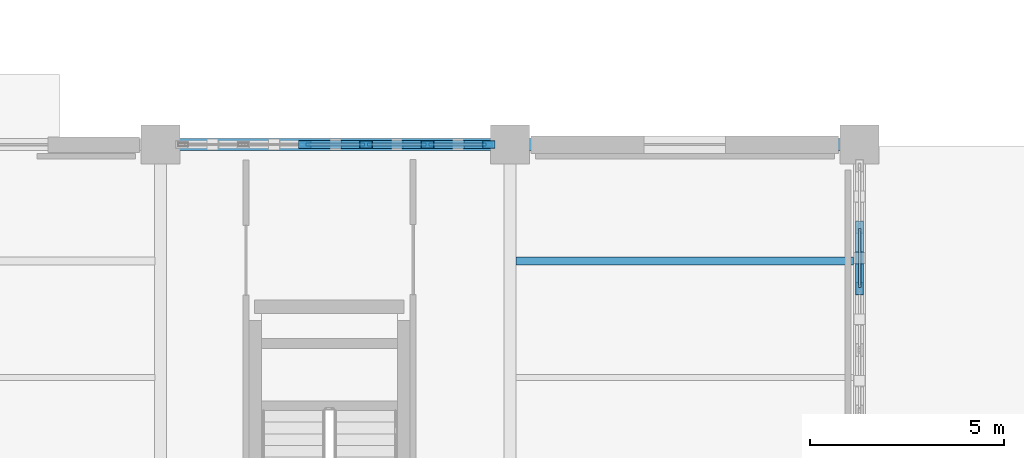
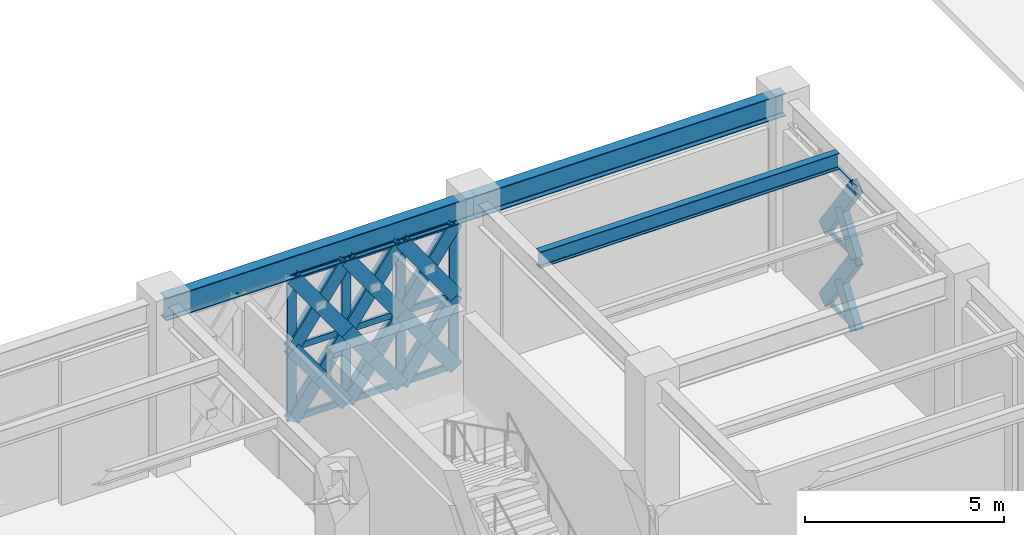
# One storey, part 48 of 140: 38 members, 3 beams, 2 elements without a shape of their own.
"""IFC4 building model written with IfcOpenShell, lengths in metres."""

from ifc_helpers import new_model, si_unit, direction, frame, origin, origin_2d, place, context, subcontext, project, spatial, hollow_rectangle, i_section, extrude, material, material_profile, profile_set, type_object, element, aggregate, save


model = new_model("IFC4")

# Units and contexts
model_context = context("Model", 3, precision=1e-05, world=origin(), true_north=direction((0.0, 1.0)))
body_context = subcontext(model_context, "Body", "Model", "MODEL_VIEW")
ifc_project = project(units=[si_unit("LENGTHUNIT", "METRE"), si_unit("AREAUNIT", "SQUARE_METRE"), si_unit("VOLUMEUNIT", "CUBIC_METRE"), si_unit("PLANEANGLEUNIT", "RADIAN"), si_unit("MASSUNIT", "GRAM", prefix="KILO")], contexts=[model_context])

# Site, building, storey
site_placement = place(None, origin())
site = spatial("IfcSite", under=ifc_project, at=site_placement, CompositionType="ELEMENT")
building_placement = place(site_placement, origin())
building = spatial("IfcBuilding", under=site, at=building_placement, Name="Haizhuo Lancet Aquarium", CompositionType="ELEMENT")
storey_placement = place(building_placement, origin())
storey = spatial("IfcBuildingStorey", under=building, at=storey_placement, Name="L00", CompositionType="ELEMENT", Elevation=0.0)

# Beams
ifc_material_1 = material(Name="Steel S355", Category="steel")
ifc_material_profile_1 = material_profile(ifc_material_1, i_section(OverallWidth=0.300048828125, OverallDepth=0.699951171875, WebThickness=0.012939453125, FlangeThickness=0.02392578125, FilletRadius=0.02587890625, at=origin_2d()), Name="HN 700x300x13x24")
ifc_profile_set_1 = profile_set([ifc_material_profile_1], Name="Steel S355")
beam_type_1 = type_object("IfcBeamType", Name="BM-ST-HN700", PredefinedType="BEAM", material=ifc_profile_set_1)
for number, where, z_axis, x_axis, name in (
    (1, (-54.0, 27.0, 4.77001953125), (1.0, 0.0, 0.0), (0.0, 1.0, 0.0), "L00 V2 primary girder BM-L00-V2-015"),
    (2, (-45.0, 27.0, 4.77001953125), (1.0, 0.0, 0.0), (0.0, 1.0, 0.0), "L00 V2 primary girder BM-L00-V2-020"),
):
    element("IfcBeam", number, at=place(storey_placement, frame(where, z_axis=z_axis, x_axis=x_axis)), inside=storey, type_object=beam_type_1, Name=name, PredefinedType="BEAM", context=body_context, shape_type="SweptSolid", body=[
        extrude(i_section(OverallWidth=0.300048828125, OverallDepth=0.699951171875, WebThickness=0.012939453125, FlangeThickness=0.02392578125, FilletRadius=0.02587890625, at=origin_2d()), origin(), (0.0, 0.0, 1.0), 9.0),
    ])

# Curtain wall, members
ifc_material_2 = material(Name="Aluminium 6063-T6", Category="aluminium")
curtain_wall_type = type_object("IfcCurtainWallType", Name="CWD-7910x4420", PredefinedType="NOTDEFINED", material=ifc_material_2)
curtain_wall_1_placement = place(storey_placement, origin())
curtain_wall_1 = element("IfcCurtainWall", 3, at=curtain_wall_1_placement, inside=storey, type_object=curtain_wall_type, Name="L00 curtain wall CW-V2-L00-015", PredefinedType="NOTDEFINED")
ifc_material_profile_2 = material_profile(ifc_material_2, hollow_rectangle(XDim=0.080078125, YDim=0.260009765625, WallThickness=0.0048828125, at=origin_2d()), Name="ALU-M 80x260x5")
ifc_profile_set_2 = profile_set([ifc_material_profile_2], Name="Aluminium 6063-T6")
member_type_1 = type_object("IfcMemberType", Name="CW-MUL-3", PredefinedType="MULLION", material=ifc_profile_set_2)
member_1_placement = place(storey_placement, frame((-50.291015625, 27.0, 0.0), z_axis=(0.0, 0.0, 1.0), x_axis=(0.0, 1.0, 0.0)))
member_1 = element("IfcMember", 4, at=member_1_placement, type_object=member_type_1, Name="CWD-79x44 mullion 3", PredefinedType="MULLION", context=body_context, shape_type="SweptSolid", body=[
    extrude(hollow_rectangle(XDim=0.080078125, YDim=0.260009765625, WallThickness=0.0048828125, at=origin_2d()), origin(), (0.0, 0.0, 1.0), 4.419921875),
])
member_2_placement = place(storey_placement, frame((-48.708984375, 27.0, 0.0), z_axis=(0.0, 0.0, 1.0), x_axis=(0.0, 1.0, 0.0)))
member_2 = element("IfcMember", 5, at=member_2_placement, type_object=member_type_1, Name="CWD-79x44 mullion 4", PredefinedType="MULLION", context=body_context, shape_type="SweptSolid", body=[
    extrude(hollow_rectangle(XDim=0.080078125, YDim=0.260009765625, WallThickness=0.0048828125, at=origin_2d()), origin(), (0.0, 0.0, 1.0), 4.419921875),
])
member_3_placement = place(storey_placement, frame((-47.126953125, 27.0, 0.0), z_axis=(0.0, 0.0, 1.0), x_axis=(0.0, 1.0, 0.0)))
member_3 = element("IfcMember", 6, at=member_3_placement, type_object=member_type_1, Name="CWD-79x44 mullion 5", PredefinedType="MULLION", context=body_context, shape_type="SweptSolid", body=[
    extrude(hollow_rectangle(XDim=0.080078125, YDim=0.260009765625, WallThickness=0.0048828125, at=origin_2d()), origin(), (0.0, 0.0, 1.0), 4.419921875),
])
member_4_placement = place(storey_placement, frame((-45.5849609375, 27.0, 0.0), z_axis=(0.0, 0.0, 1.0), x_axis=(0.0, 1.0, 0.0)))
member_4 = element("IfcMember", 7, at=member_4_placement, type_object=member_type_1, Name="CWD-79x44 mullion 6", PredefinedType="MULLION", context=body_context, shape_type="SweptSolid", body=[
    extrude(hollow_rectangle(XDim=0.080078125, YDim=0.260009765625, WallThickness=0.0048828125, at=origin_2d()), origin(), (0.0, 0.0, 1.0), 4.419921875),
])

curtain_wall_2_placement = place(storey_placement, origin())
curtain_wall_2 = element("IfcCurtainWall", 8, at=curtain_wall_2_placement, inside=storey, type_object=curtain_wall_type, Name="L00 curtain wall CW-V2-L00-016", PredefinedType="NOTDEFINED")
ifc_material_profile_3 = material_profile(ifc_material_2, hollow_rectangle(XDim=0.06494140625, YDim=0.139892578125, WallThickness=0.00390625, at=origin_2d()), Name="ALU-T 65x140x4")
ifc_profile_set_3 = profile_set([ifc_material_profile_3], Name="Aluminium 6063-T6")
member_type_2 = type_object("IfcMemberType", Name="CW-TRN-1", PredefinedType="NOTDEFINED", material=ifc_profile_set_3)
member_5_placement = place(storey_placement, frame((-36.0, 24.840087890625, 0.032958984375), z_axis=(0.0, -1.0, 0.0), x_axis=(1.0, 0.0, 0.0)))
member_5 = element("IfcMember", 9, at=member_5_placement, type_object=member_type_2, Name="CWD-79x44 transom 2.1", ObjectType="TRANSOM", PredefinedType="USERDEFINED", context=body_context, shape_type="SweptSolid", body=[
    extrude(hollow_rectangle(XDim=0.06494140625, YDim=0.139892578125, WallThickness=0.00390625, at=origin_2d()), origin(), (0.0, 0.0, 1.0), 1.51708984375),
])
member_6_placement = place(storey_placement, frame((-36.0, 24.840087890625, 2.2099609375), z_axis=(0.0, -1.0, 0.0), x_axis=(1.0, 0.0, 0.0)))
member_6 = element("IfcMember", 10, at=member_6_placement, type_object=member_type_2, Name="CWD-79x44 transom 2.2", ObjectType="TRANSOM", PredefinedType="USERDEFINED", context=body_context, shape_type="SweptSolid", body=[
    extrude(hollow_rectangle(XDim=0.06494140625, YDim=0.139892578125, WallThickness=0.00390625, at=origin_2d()), origin(), (0.0, 0.0, 1.0), 1.51708984375),
])
member_7_placement = place(storey_placement, frame((-36.0, 24.840087890625, 4.387939453125), z_axis=(0.0, -1.0, 0.0), x_axis=(1.0, 0.0, 0.0)))
member_7 = element("IfcMember", 11, at=member_7_placement, type_object=member_type_2, Name="CWD-79x44 transom 2.3", ObjectType="TRANSOM", PredefinedType="USERDEFINED", context=body_context, shape_type="SweptSolid", body=[
    extrude(hollow_rectangle(XDim=0.06494140625, YDim=0.139892578125, WallThickness=0.00390625, at=origin_2d()), origin(), (0.0, 0.0, 1.0), 1.51708984375),
])
aggregate(curtain_wall_2, [member_5, member_6, member_7])

# Member
ifc_material_profile_4 = material_profile(ifc_material_2, hollow_rectangle(XDim=0.080078125, YDim=0.18994140625, WallThickness=0.0048828125, at=origin_2d()), Name="ALU-T 80x190x5")
ifc_profile_set_4 = profile_set([ifc_material_profile_4], Name="Aluminium 6063-T6")
member_type_3 = type_object("IfcMemberType", Name="CW-TRN-3", PredefinedType="NOTDEFINED", material=ifc_profile_set_4)
member_8_placement = place(storey_placement, frame((-50.2509765625, 27.0, 0.0400390625), z_axis=(1.0, 0.0, 0.0), x_axis=(0.0, 1.0, 0.0)))
member_8 = element("IfcMember", 12, at=member_8_placement, type_object=member_type_3, Name="CWD-79x44 transom 3.1", ObjectType="TRANSOM", PredefinedType="USERDEFINED", context=body_context, shape_type="SweptSolid", body=[
    extrude(hollow_rectangle(XDim=0.080078125, YDim=0.18994140625, WallThickness=0.0048828125, at=origin_2d()), origin(), (0.0, 0.0, 1.0), 1.501953125),
])

member_9_placement = place(storey_placement, frame((-50.2509765625, 27.0, 2.2099609375), z_axis=(1.0, 0.0, 0.0), x_axis=(0.0, 1.0, 0.0)))
member_9 = element("IfcMember", 13, at=member_9_placement, type_object=member_type_3, Name="CWD-79x44 transom 3.2", ObjectType="TRANSOM", PredefinedType="USERDEFINED", context=body_context, shape_type="SweptSolid", body=[
    extrude(hollow_rectangle(XDim=0.080078125, YDim=0.18994140625, WallThickness=0.0048828125, at=origin_2d()), origin(), (0.0, 0.0, 1.0), 1.501953125),
])

member_10_placement = place(storey_placement, frame((-50.2509765625, 27.0, 4.3798828125), z_axis=(1.0, 0.0, 0.0), x_axis=(0.0, 1.0, 0.0)))
member_10 = element("IfcMember", 14, at=member_10_placement, type_object=member_type_3, Name="CWD-79x44 transom 3.3", ObjectType="TRANSOM", PredefinedType="USERDEFINED", context=body_context, shape_type="SweptSolid", body=[
    extrude(hollow_rectangle(XDim=0.080078125, YDim=0.18994140625, WallThickness=0.0048828125, at=origin_2d()), origin(), (0.0, 0.0, 1.0), 1.501953125),
])

member_11_placement = place(storey_placement, frame((-48.6689453125, 27.0, 0.0400390625), z_axis=(1.0, 0.0, 0.0), x_axis=(0.0, 1.0, 0.0)))
member_11 = element("IfcMember", 15, at=member_11_placement, type_object=member_type_3, Name="CWD-79x44 transom 4.1", ObjectType="TRANSOM", PredefinedType="USERDEFINED", context=body_context, shape_type="SweptSolid", body=[
    extrude(hollow_rectangle(XDim=0.080078125, YDim=0.18994140625, WallThickness=0.0048828125, at=origin_2d()), origin(), (0.0, 0.0, 1.0), 1.501953125),
])

member_12_placement = place(storey_placement, frame((-48.6689453125, 27.0, 2.2099609375), z_axis=(1.0, 0.0, 0.0), x_axis=(0.0, 1.0, 0.0)))
member_12 = element("IfcMember", 16, at=member_12_placement, type_object=member_type_3, Name="CWD-79x44 transom 4.2", ObjectType="TRANSOM", PredefinedType="USERDEFINED", context=body_context, shape_type="SweptSolid", body=[
    extrude(hollow_rectangle(XDim=0.080078125, YDim=0.18994140625, WallThickness=0.0048828125, at=origin_2d()), origin(), (0.0, 0.0, 1.0), 1.501953125),
])

member_13_placement = place(storey_placement, frame((-48.6689453125, 27.0, 4.3798828125), z_axis=(1.0, 0.0, 0.0), x_axis=(0.0, 1.0, 0.0)))
member_13 = element("IfcMember", 17, at=member_13_placement, type_object=member_type_3, Name="CWD-79x44 transom 4.3", ObjectType="TRANSOM", PredefinedType="USERDEFINED", context=body_context, shape_type="SweptSolid", body=[
    extrude(hollow_rectangle(XDim=0.080078125, YDim=0.18994140625, WallThickness=0.0048828125, at=origin_2d()), origin(), (0.0, 0.0, 1.0), 1.501953125),
])

member_14_placement = place(storey_placement, frame((-47.0869140625, 27.0, 0.0400390625), z_axis=(1.0, 0.0, 0.0), x_axis=(0.0, 1.0, 0.0)))
member_14 = element("IfcMember", 18, at=member_14_placement, type_object=member_type_3, Name="CWD-79x44 transom 5.1", ObjectType="TRANSOM", PredefinedType="USERDEFINED", context=body_context, shape_type="SweptSolid", body=[
    extrude(hollow_rectangle(XDim=0.080078125, YDim=0.18994140625, WallThickness=0.0048828125, at=origin_2d()), origin(), (0.0, 0.0, 1.0), 1.4619140625),
])

member_15_placement = place(storey_placement, frame((-47.0869140625, 27.0, 2.2099609375), z_axis=(1.0, 0.0, 0.0), x_axis=(0.0, 1.0, 0.0)))
member_15 = element("IfcMember", 19, at=member_15_placement, type_object=member_type_3, Name="CWD-79x44 transom 5.2", ObjectType="TRANSOM", PredefinedType="USERDEFINED", context=body_context, shape_type="SweptSolid", body=[
    extrude(hollow_rectangle(XDim=0.080078125, YDim=0.18994140625, WallThickness=0.0048828125, at=origin_2d()), origin(), (0.0, 0.0, 1.0), 1.4619140625),
])

member_16_placement = place(storey_placement, frame((-47.0869140625, 27.0, 4.3798828125), z_axis=(1.0, 0.0, 0.0), x_axis=(0.0, 1.0, 0.0)))
member_16 = element("IfcMember", 20, at=member_16_placement, type_object=member_type_3, Name="CWD-79x44 transom 5.3", ObjectType="TRANSOM", PredefinedType="USERDEFINED", context=body_context, shape_type="SweptSolid", body=[
    extrude(hollow_rectangle(XDim=0.080078125, YDim=0.18994140625, WallThickness=0.0048828125, at=origin_2d()), origin(), (0.0, 0.0, 1.0), 1.4619140625),
])

aggregate(curtain_wall_1, [member_1, member_2, member_3, member_4, member_8, member_9, member_10, member_11, member_12, member_13, member_14, member_15, member_16])

# Beam
ifc_material_profile_5 = material_profile(ifc_material_1, i_section(OverallWidth=0.199951171875, OverallDepth=0.5, WebThickness=0.010009765625, FlangeThickness=0.01611328125, FilletRadius=0.02001953125, at=origin_2d()), Name="HN 500x200x10x16")
ifc_profile_set_5 = profile_set([ifc_material_profile_5], Name="Steel S355")
beam_type_2 = type_object("IfcBeamType", Name="JST-ST-HN500", PredefinedType="JOIST", material=ifc_profile_set_5)
beam_placement = place(storey_placement, frame((-44.85009765625, 24.0, 4.8701171875), z_axis=(1.0, 0.0, 0.0), x_axis=(0.0, 1.0, 0.0)))
element("IfcBeam", 21, at=beam_placement, inside=storey, type_object=beam_type_2, Name="L00 V2 secondary floor joist 14", PredefinedType="JOIST", context=body_context, shape_type="SweptSolid", body=[
    extrude(i_section(OverallWidth=0.199951171875, OverallDepth=0.5, WebThickness=0.010009765625, FlangeThickness=0.01611328125, FilletRadius=0.02001953125, at=origin_2d()), origin(), (0.0, 0.0, 1.0), 8.7001953125),
])

# Members
ifc_material_profile_6 = material_profile(ifc_material_1, hollow_rectangle(XDim=0.199951171875, YDim=0.39990234375, WallThickness=0.011962890625, at=origin_2d()), Name="RHS 200x400x12")
ifc_profile_set_6 = profile_set([ifc_material_profile_6], Name="Steel S355")
member_type_4 = type_object("IfcMemberType", Name="MEM-LB-RHS200x400", PredefinedType="BRACE", material=ifc_profile_set_6)
member_17_placement = place(storey_placement, frame((-50.291015625, 27.0, 0.0), z_axis=(0.582087604305, 0.0, 0.813126079347), x_axis=(0.0, 1.0, 0.0)))
element("IfcMember", 22, at=member_17_placement, inside=storey, type_object=member_type_4, Name="Gothic lancet continuous diagonal brace CW-V2-L00-015 5A", PredefinedType="BRACE", context=body_context, shape_type="SweptSolid", body=[
    extrude(hollow_rectangle(XDim=0.199951171875, YDim=0.39990234375, WallThickness=0.011962890625, at=origin_2d()), origin(), (0.0, 0.0, 1.0), 2.7177734375),
])
for number, where, z_axis, x_axis, name in (
    (23, (-48.708984375, 27.0, 0.0), (-0.582087604305, 0.0, 0.813126079347), (0.0, -1.0, 0.0), "Gothic lancet split diagonal brace CW-V2-L00-015 5B1"),
    (24, (-49.5, 27.0, 1.10498046875), (-0.582087604305, 0.0, 0.813126079347), (0.0, -1.0, 0.0), "Gothic lancet split diagonal brace CW-V2-L00-015 5B2"),
):
    element("IfcMember", number, at=place(storey_placement, frame(where, z_axis=z_axis, x_axis=x_axis)), inside=storey, type_object=member_type_4, Name=name, PredefinedType="BRACE", context=body_context, shape_type="SweptSolid", body=[
        extrude(hollow_rectangle(XDim=0.199951171875, YDim=0.39990234375, WallThickness=0.011962890625, at=origin_2d()), origin(), (0.0, 0.0, 1.0), 1.35888671875),
    ])
member_18_placement = place(storey_placement, frame((-50.291015625, 27.0, 2.2099609375), z_axis=(0.582087604305, 0.0, 0.813126079347), x_axis=(0.0, 1.0, 0.0)))
element("IfcMember", 25, at=member_18_placement, inside=storey, type_object=member_type_4, Name="Gothic lancet continuous diagonal brace CW-V2-L00-015 6A", PredefinedType="BRACE", context=body_context, shape_type="SweptSolid", body=[
    extrude(hollow_rectangle(XDim=0.199951171875, YDim=0.39990234375, WallThickness=0.011962890625, at=origin_2d()), origin(), (0.0, 0.0, 1.0), 2.7177734375),
])
for number, where, z_axis, x_axis, name in (
    (26, (-48.708984375, 27.0, 2.2099609375), (-0.582087604305, 0.0, 0.813126079347), (0.0, -1.0, 0.0), "Gothic lancet split diagonal brace CW-V2-L00-015 6B1"),
    (27, (-49.5, 27.0, 3.31494140625), (-0.582087604305, 0.0, 0.813126079347), (0.0, -1.0, 0.0), "Gothic lancet split diagonal brace CW-V2-L00-015 6B2"),
):
    element("IfcMember", number, at=place(storey_placement, frame(where, z_axis=z_axis, x_axis=x_axis)), inside=storey, type_object=member_type_4, Name=name, PredefinedType="BRACE", context=body_context, shape_type="SweptSolid", body=[
        extrude(hollow_rectangle(XDim=0.199951171875, YDim=0.39990234375, WallThickness=0.011962890625, at=origin_2d()), origin(), (0.0, 0.0, 1.0), 1.35888671875),
    ])
member_19_placement = place(storey_placement, frame((-48.708984375, 27.0, 0.0), z_axis=(0.582087604305, 0.0, 0.813126079347), x_axis=(0.0, 1.0, 0.0)))
element("IfcMember", 28, at=member_19_placement, inside=storey, type_object=member_type_4, Name="Gothic lancet continuous diagonal brace CW-V2-L00-015 7A", PredefinedType="BRACE", context=body_context, shape_type="SweptSolid", body=[
    extrude(hollow_rectangle(XDim=0.199951171875, YDim=0.39990234375, WallThickness=0.011962890625, at=origin_2d()), origin(), (0.0, 0.0, 1.0), 2.7177734375),
])
for number, where, z_axis, x_axis, name in (
    (29, (-47.126953125, 27.0, 0.0), (-0.582087604305, 0.0, 0.813126079347), (0.0, -1.0, 0.0), "Gothic lancet split diagonal brace CW-V2-L00-015 7B1"),
    (30, (-47.91796875, 27.0, 1.10498046875), (-0.582087604305, 0.0, 0.813126079347), (0.0, -1.0, 0.0), "Gothic lancet split diagonal brace CW-V2-L00-015 7B2"),
):
    element("IfcMember", number, at=place(storey_placement, frame(where, z_axis=z_axis, x_axis=x_axis)), inside=storey, type_object=member_type_4, Name=name, PredefinedType="BRACE", context=body_context, shape_type="SweptSolid", body=[
        extrude(hollow_rectangle(XDim=0.199951171875, YDim=0.39990234375, WallThickness=0.011962890625, at=origin_2d()), origin(), (0.0, 0.0, 1.0), 1.35888671875),
    ])
member_20_placement = place(storey_placement, frame((-48.708984375, 27.0, 2.2099609375), z_axis=(0.582087604305, 0.0, 0.813126079347), x_axis=(0.0, 1.0, 0.0)))
element("IfcMember", 31, at=member_20_placement, inside=storey, type_object=member_type_4, Name="Gothic lancet continuous diagonal brace CW-V2-L00-015 8A", PredefinedType="BRACE", context=body_context, shape_type="SweptSolid", body=[
    extrude(hollow_rectangle(XDim=0.199951171875, YDim=0.39990234375, WallThickness=0.011962890625, at=origin_2d()), origin(), (0.0, 0.0, 1.0), 2.7177734375),
])
for number, where, z_axis, x_axis, name in (
    (32, (-47.126953125, 27.0, 2.2099609375), (-0.582087604305, 0.0, 0.813126079347), (0.0, -1.0, 0.0), "Gothic lancet split diagonal brace CW-V2-L00-015 8B1"),
    (33, (-47.91796875, 27.0, 3.31494140625), (-0.582087604305, 0.0, 0.813126079347), (0.0, -1.0, 0.0), "Gothic lancet split diagonal brace CW-V2-L00-015 8B2"),
):
    element("IfcMember", number, at=place(storey_placement, frame(where, z_axis=z_axis, x_axis=x_axis)), inside=storey, type_object=member_type_4, Name=name, PredefinedType="BRACE", context=body_context, shape_type="SweptSolid", body=[
        extrude(hollow_rectangle(XDim=0.199951171875, YDim=0.39990234375, WallThickness=0.011962890625, at=origin_2d()), origin(), (0.0, 0.0, 1.0), 1.35888671875),
    ])
member_21_placement = place(storey_placement, frame((-47.126953125, 27.0, 0.0), z_axis=(0.582087604305, 0.0, 0.813126079347), x_axis=(0.0, 1.0, 0.0)))
element("IfcMember", 34, at=member_21_placement, inside=storey, type_object=member_type_4, Name="Gothic lancet continuous diagonal brace CW-V2-L00-015 9A", PredefinedType="BRACE", context=body_context, shape_type="SweptSolid", body=[
    extrude(hollow_rectangle(XDim=0.199951171875, YDim=0.39990234375, WallThickness=0.011962890625, at=origin_2d()), origin(), (0.0, 0.0, 1.0), 2.7177734375),
])
for number, where, z_axis, x_axis, name in (
    (35, (-45.544921875, 27.0, 0.0), (-0.582087604305, 0.0, 0.813126079347), (0.0, -1.0, 0.0), "Gothic lancet split diagonal brace CW-V2-L00-015 9B1"),
    (36, (-46.3359375, 27.0, 1.10498046875), (-0.582087604305, 0.0, 0.813126079347), (0.0, -1.0, 0.0), "Gothic lancet split diagonal brace CW-V2-L00-015 9B2"),
):
    element("IfcMember", number, at=place(storey_placement, frame(where, z_axis=z_axis, x_axis=x_axis)), inside=storey, type_object=member_type_4, Name=name, PredefinedType="BRACE", context=body_context, shape_type="SweptSolid", body=[
        extrude(hollow_rectangle(XDim=0.199951171875, YDim=0.39990234375, WallThickness=0.011962890625, at=origin_2d()), origin(), (0.0, 0.0, 1.0), 1.35888671875),
    ])
member_22_placement = place(storey_placement, frame((-47.126953125, 27.0, 2.2099609375), z_axis=(0.582087604305, 0.0, 0.813126079347), x_axis=(0.0, 1.0, 0.0)))
element("IfcMember", 37, at=member_22_placement, inside=storey, type_object=member_type_4, Name="Gothic lancet continuous diagonal brace CW-V2-L00-015 10A", PredefinedType="BRACE", context=body_context, shape_type="SweptSolid", body=[
    extrude(hollow_rectangle(XDim=0.199951171875, YDim=0.39990234375, WallThickness=0.011962890625, at=origin_2d()), origin(), (0.0, 0.0, 1.0), 2.7177734375),
])
for number, where, z_axis, x_axis, name in (
    (38, (-45.544921875, 27.0, 2.2099609375), (-0.582087604305, 0.0, 0.813126079347), (0.0, -1.0, 0.0), "Gothic lancet split diagonal brace CW-V2-L00-015 10B1"),
    (39, (-46.3359375, 27.0, 3.31494140625), (-0.582087604305, 0.0, 0.813126079347), (0.0, -1.0, 0.0), "Gothic lancet split diagonal brace CW-V2-L00-015 10B2"),
):
    element("IfcMember", number, at=place(storey_placement, frame(where, z_axis=z_axis, x_axis=x_axis)), inside=storey, type_object=member_type_4, Name=name, PredefinedType="BRACE", context=body_context, shape_type="SweptSolid", body=[
        extrude(hollow_rectangle(XDim=0.199951171875, YDim=0.39990234375, WallThickness=0.011962890625, at=origin_2d()), origin(), (0.0, 0.0, 1.0), 1.35888671875),
    ])
member_23_placement = place(storey_placement, frame((-36.0, 24.873046875, 0.0), z_axis=(0.0, -0.582087604305, 0.813126079347), x_axis=(1.0, 0.0, 0.0)))
element("IfcMember", 40, at=member_23_placement, inside=storey, type_object=member_type_4, Name="Gothic lancet continuous diagonal brace CW-V2-L00-016 3A", PredefinedType="BRACE", context=body_context, shape_type="SweptSolid", body=[
    extrude(hollow_rectangle(XDim=0.199951171875, YDim=0.39990234375, WallThickness=0.011962890625, at=origin_2d()), origin(), (0.0, 0.0, 1.0), 2.7177734375),
])
member_24_placement = place(storey_placement, frame((-36.0, 23.291015625, 0.0), z_axis=(0.0, 0.582087604305, 0.813126079347), x_axis=(-1.0, 0.0, 0.0)))
element("IfcMember", 41, at=member_24_placement, inside=storey, type_object=member_type_4, Name="Gothic lancet split diagonal brace CW-V2-L00-016 3B1", PredefinedType="BRACE", context=body_context, shape_type="SweptSolid", body=[
    extrude(hollow_rectangle(XDim=0.199951171875, YDim=0.39990234375, WallThickness=0.011962890625, at=origin_2d()), origin(), (0.0, 0.0, 1.0), 1.35888671875),
])
member_25_placement = place(storey_placement, frame((-36.0, 24.873046875, 2.2099609375), z_axis=(0.0, -0.582087604305, 0.813126079347), x_axis=(1.0, 0.0, 0.0)))
element("IfcMember", 42, at=member_25_placement, inside=storey, type_object=member_type_4, Name="Gothic lancet continuous diagonal brace CW-V2-L00-016 4A", PredefinedType="BRACE", context=body_context, shape_type="SweptSolid", body=[
    extrude(hollow_rectangle(XDim=0.199951171875, YDim=0.39990234375, WallThickness=0.011962890625, at=origin_2d()), origin(), (0.0, 0.0, 1.0), 2.7177734375),
])
member_26_placement = place(storey_placement, frame((-36.0, 23.291015625, 2.2099609375), z_axis=(0.0, 0.582087604305, 0.813126079347), x_axis=(-1.0, 0.0, 0.0)))
element("IfcMember", 43, at=member_26_placement, inside=storey, type_object=member_type_4, Name="Gothic lancet split diagonal brace CW-V2-L00-016 4B1", PredefinedType="BRACE", context=body_context, shape_type="SweptSolid", body=[
    extrude(hollow_rectangle(XDim=0.199951171875, YDim=0.39990234375, WallThickness=0.011962890625, at=origin_2d()), origin(), (0.0, 0.0, 1.0), 1.35888671875),
])

save(model, "model.ifc")
